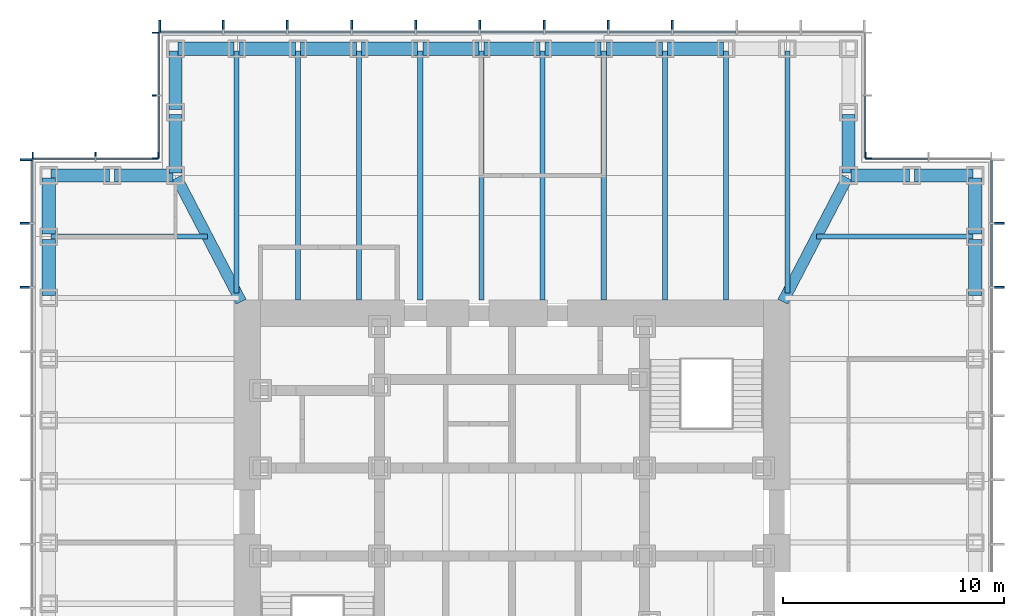
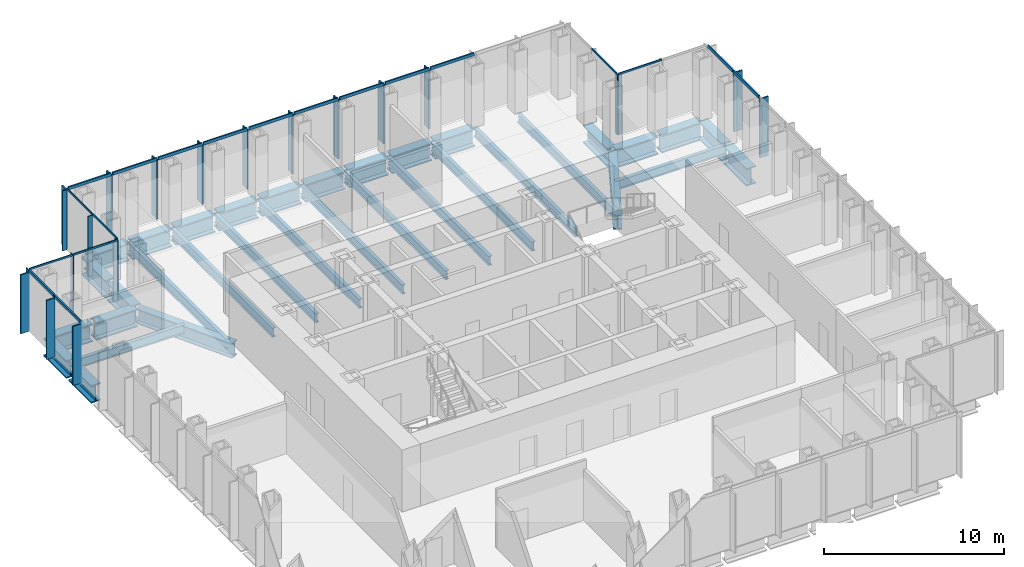
# One storey, part 5 of 16: 41 members, 34 beams, 7 elements without a shape of their own.
"""IFC4 building model written with IfcOpenShell, lengths in metres."""

from ifc_helpers import new_model, si_unit, direction, frame, origin, origin_2d, place, context, subcontext, project, spatial, rectangle, i_section, extrude, material, material_profile, profile_set, type_object, element, aggregate, save


model = new_model("IFC4")

# Units and contexts
model_context = context("Model", 3, precision=1e-05, world=origin(), true_north=direction((0.0, 1.0)))
body_context = subcontext(model_context, "Body", "Model", "MODEL_VIEW")
ifc_project = project(units=[si_unit("LENGTHUNIT", "METRE"), si_unit("AREAUNIT", "SQUARE_METRE"), si_unit("VOLUMEUNIT", "CUBIC_METRE"), si_unit("PLANEANGLEUNIT", "RADIAN"), si_unit("MASSUNIT", "GRAM", prefix="KILO")], contexts=[model_context])

# Site, building, storey
site_placement = place(None, origin())
site = spatial("IfcSite", under=ifc_project, at=site_placement, CompositionType="ELEMENT")
building_placement = place(site_placement, origin())
building = spatial("IfcBuilding", under=site, at=building_placement, Name="Daluyong Arena Tower", CompositionType="ELEMENT")
storey_placement = place(building_placement, frame((0.0, 0.0, 271.300048828125)))
storey = spatial("IfcBuildingStorey", under=building, at=storey_placement, Name="L61", CompositionType="ELEMENT", Elevation=271.300048828125)

# Curtain wall, members
ifc_material_1 = material(Name="Bronze anodised aluminium and glass", Category="aluminium")
curtain_wall_type_1 = type_object("IfcCurtainWallType", Name="Curtain wall CW4", PredefinedType="USERDEFINED", material=ifc_material_1)
curtain_wall_1_placement = place(storey_placement, origin())
curtain_wall_1 = element("IfcCurtainWall", 1, at=curtain_wall_1_placement, inside=storey, type_object=curtain_wall_type_1, Name="curtain wall L61 E", ObjectType="UNITISED CURTAIN WALL", PredefinedType="USERDEFINED")
ifc_material_2 = material(Name="Bronze anodised aluminium fin", Category="aluminium")
ifc_material_profile_1 = material_profile(ifc_material_2, rectangle(XDim=0.550048828125, YDim=0.090087890625, at=origin_2d()))
ifc_profile_set_1 = profile_set([ifc_material_profile_1], Name="Bronze anodised aluminium fin")
member_type_1 = type_object("IfcMemberType", Name="CW4 bronze fin 550x90", PredefinedType="MULLION", material=ifc_profile_set_1)
member_1_placement = place(storey_placement, frame((78.02490234375, 90.181884765625, 0.0), z_axis=(0.0, 0.0, 1.0), x_axis=(-1.0, 0.0, 0.0)))
member_1 = element("IfcMember", 2, at=member_1_placement, type_object=member_type_1, Name="curtain wall L61 E fin 10", PredefinedType="MULLION", context=body_context, shape_type="SweptSolid", body=[
    extrude(rectangle(XDim=0.550048828125, YDim=0.090087890625, at=origin_2d()), origin(), (0.0, 0.0, 1.0), 4.0),
])
member_2_placement = place(storey_placement, frame((78.02490234375, 93.0908203125, 0.0), z_axis=(0.0, 0.0, 1.0), x_axis=(-1.0, 0.0, 0.0)))
member_2 = element("IfcMember", 3, at=member_2_placement, type_object=member_type_1, Name="curtain wall L61 E fin 11", PredefinedType="MULLION", context=body_context, shape_type="SweptSolid", body=[
    extrude(rectangle(XDim=0.550048828125, YDim=0.090087890625, at=origin_2d()), origin(), (0.0, 0.0, 1.0), 4.0),
])

curtain_wall_2_placement = place(storey_placement, origin())
curtain_wall_2 = element("IfcCurtainWall", 4, at=curtain_wall_2_placement, inside=storey, type_object=curtain_wall_type_1, Name="curtain wall L61 N", ObjectType="UNITISED CURTAIN WALL", PredefinedType="USERDEFINED")
member_3_placement = place(storey_placement, frame((63.272705078125, 102.02490234375, 0.0), z_axis=(0.0, 0.0, 1.0), x_axis=(0.0, -1.0, 0.0)))
member_3 = element("IfcMember", 5, at=member_3_placement, type_object=member_type_1, Name="curtain wall L61 N fin 4", PredefinedType="MULLION", context=body_context, shape_type="SweptSolid", body=[
    extrude(rectangle(XDim=0.550048828125, YDim=0.090087890625, at=origin_2d()), origin(), (0.0, 0.0, 1.0), 4.0),
])
member_4_placement = place(storey_placement, frame((60.363525390625, 102.02490234375, 0.0), z_axis=(0.0, 0.0, 1.0), x_axis=(0.0, -1.0, 0.0)))
member_4 = element("IfcMember", 6, at=member_4_placement, type_object=member_type_1, Name="curtain wall L61 N fin 5", PredefinedType="MULLION", context=body_context, shape_type="SweptSolid", body=[
    extrude(rectangle(XDim=0.550048828125, YDim=0.090087890625, at=origin_2d()), origin(), (0.0, 0.0, 1.0), 4.0),
])
member_5_placement = place(storey_placement, frame((57.45458984375, 102.02490234375, 0.0), z_axis=(0.0, 0.0, 1.0), x_axis=(0.0, -1.0, 0.0)))
member_5 = element("IfcMember", 7, at=member_5_placement, type_object=member_type_1, Name="curtain wall L61 N fin 6", PredefinedType="MULLION", context=body_context, shape_type="SweptSolid", body=[
    extrude(rectangle(XDim=0.550048828125, YDim=0.090087890625, at=origin_2d()), origin(), (0.0, 0.0, 1.0), 4.0),
])
member_6_placement = place(storey_placement, frame((54.54541015625, 102.02490234375, 0.0), z_axis=(0.0, 0.0, 1.0), x_axis=(0.0, -1.0, 0.0)))
member_6 = element("IfcMember", 8, at=member_6_placement, type_object=member_type_1, Name="curtain wall L61 N fin 7", PredefinedType="MULLION", context=body_context, shape_type="SweptSolid", body=[
    extrude(rectangle(XDim=0.550048828125, YDim=0.090087890625, at=origin_2d()), origin(), (0.0, 0.0, 1.0), 4.0),
])
member_7_placement = place(storey_placement, frame((51.636474609375, 102.02490234375, 0.0), z_axis=(0.0, 0.0, 1.0), x_axis=(0.0, -1.0, 0.0)))
member_7 = element("IfcMember", 9, at=member_7_placement, type_object=member_type_1, Name="curtain wall L61 N fin 8", PredefinedType="MULLION", context=body_context, shape_type="SweptSolid", body=[
    extrude(rectangle(XDim=0.550048828125, YDim=0.090087890625, at=origin_2d()), origin(), (0.0, 0.0, 1.0), 4.0),
])
member_8_placement = place(storey_placement, frame((48.727294921875, 102.02490234375, 0.0), z_axis=(0.0, 0.0, 1.0), x_axis=(0.0, -1.0, 0.0)))
member_8 = element("IfcMember", 10, at=member_8_placement, type_object=member_type_1, Name="curtain wall L61 N fin 9", PredefinedType="MULLION", context=body_context, shape_type="SweptSolid", body=[
    extrude(rectangle(XDim=0.550048828125, YDim=0.090087890625, at=origin_2d()), origin(), (0.0, 0.0, 1.0), 4.0),
])
member_9_placement = place(storey_placement, frame((45.818115234375, 102.02490234375, 0.0), z_axis=(0.0, 0.0, 1.0), x_axis=(0.0, -1.0, 0.0)))
member_9 = element("IfcMember", 11, at=member_9_placement, type_object=member_type_1, Name="curtain wall L61 N fin 10", PredefinedType="MULLION", context=body_context, shape_type="SweptSolid", body=[
    extrude(rectangle(XDim=0.550048828125, YDim=0.090087890625, at=origin_2d()), origin(), (0.0, 0.0, 1.0), 4.0),
])
member_10_placement = place(storey_placement, frame((42.9091796875, 102.02490234375, 0.0), z_axis=(0.0, 0.0, 1.0), x_axis=(0.0, -1.0, 0.0)))
member_10 = element("IfcMember", 12, at=member_10_placement, type_object=member_type_1, Name="curtain wall L61 N fin 11", PredefinedType="MULLION", context=body_context, shape_type="SweptSolid", body=[
    extrude(rectangle(XDim=0.550048828125, YDim=0.090087890625, at=origin_2d()), origin(), (0.0, 0.0, 1.0), 4.0),
])
member_11_placement = place(storey_placement, frame((40.044921875, 102.02490234375, 0.0), z_axis=(0.0, 0.0, 1.0), x_axis=(0.0, -1.0, 0.0)))
member_11 = element("IfcMember", 13, at=member_11_placement, type_object=member_type_1, Name="curtain wall L61 N fin 12", PredefinedType="MULLION", context=body_context, shape_type="SweptSolid", body=[
    extrude(rectangle(XDim=0.550048828125, YDim=0.090087890625, at=origin_2d()), origin(), (0.0, 0.0, 1.0), 4.0),
])

curtain_wall_3_placement = place(storey_placement, origin())
curtain_wall_3 = element("IfcCurtainWall", 14, at=curtain_wall_3_placement, inside=storey, type_object=curtain_wall_type_1, Name="curtain wall L61 W", ObjectType="UNITISED CURTAIN WALL", PredefinedType="USERDEFINED")
member_12_placement = place(storey_placement, frame((33.97509765625, 95.955078125, 0.0), z_axis=(0.0, 0.0, 1.0), x_axis=(1.0, 0.0, 0.0)))
member_12 = element("IfcMember", 15, at=member_12_placement, type_object=member_type_1, Name="curtain wall L61 W fin 1", PredefinedType="MULLION", context=body_context, shape_type="SweptSolid", body=[
    extrude(rectangle(XDim=0.550048828125, YDim=0.090087890625, at=origin_2d()), origin(), (0.0, 0.0, 1.0), 4.0),
])
member_13_placement = place(storey_placement, frame((33.97509765625, 93.0908203125, 0.0), z_axis=(0.0, 0.0, 1.0), x_axis=(1.0, 0.0, 0.0)))
member_13 = element("IfcMember", 16, at=member_13_placement, type_object=member_type_1, Name="curtain wall L61 W fin 2", PredefinedType="MULLION", context=body_context, shape_type="SweptSolid", body=[
    extrude(rectangle(XDim=0.550048828125, YDim=0.090087890625, at=origin_2d()), origin(), (0.0, 0.0, 1.0), 4.0),
])
member_14_placement = place(storey_placement, frame((33.97509765625, 90.181884765625, 0.0), z_axis=(0.0, 0.0, 1.0), x_axis=(1.0, 0.0, 0.0)))
member_14 = element("IfcMember", 17, at=member_14_placement, type_object=member_type_1, Name="curtain wall L61 W fin 3", PredefinedType="MULLION", context=body_context, shape_type="SweptSolid", body=[
    extrude(rectangle(XDim=0.550048828125, YDim=0.090087890625, at=origin_2d()), origin(), (0.0, 0.0, 1.0), 4.0),
])

# Member
ifc_material_3 = material(Name="Bronze anodised aluminium", Category="aluminium")
ifc_material_profile_2 = material_profile(ifc_material_3, rectangle(XDim=0.090087890625, YDim=0.199951171875, at=origin_2d()))
ifc_profile_set_2 = profile_set([ifc_material_profile_2], Name="Bronze anodised aluminium")
member_type_2 = type_object("IfcMemberType", Name="CW4 stack transom 200x90", PredefinedType="USERDEFINED", material=ifc_profile_set_2)
member_15_placement = place(storey_placement, frame((77.75, 90.226806640625, 4.099853515625), z_axis=(0.0, 1.0, 0.0), x_axis=(-1.0, 0.0, 0.0)))
member_15 = element("IfcMember", 18, at=member_15_placement, type_object=member_type_2, Name="curtain wall L61 E transom 10", ObjectType="TRANSOM", PredefinedType="USERDEFINED", context=body_context, shape_type="SweptSolid", body=[
    extrude(rectangle(XDim=0.090087890625, YDim=0.199951171875, at=origin_2d()), origin(), (0.0, 0.0, 1.0), 2.819091796875),
])

member_16_placement = place(storey_placement, frame((77.75, 93.135986328125, 4.099853515625), z_axis=(0.0, 1.0, 0.0), x_axis=(-1.0, 0.0, 0.0)))
member_16 = element("IfcMember", 19, at=member_16_placement, type_object=member_type_2, Name="curtain wall L61 E transom 11", ObjectType="TRANSOM", PredefinedType="USERDEFINED", context=body_context, shape_type="SweptSolid", body=[
    extrude(rectangle(XDim=0.090087890625, YDim=0.199951171875, at=origin_2d()), origin(), (0.0, 0.0, 1.0), 2.77392578125),
])

aggregate(curtain_wall_1, [member_1, member_2, member_15, member_16])

member_17_placement = place(storey_placement, frame((66.13671875, 101.75, 4.099853515625), z_axis=(-1.0, 0.0, 0.0), x_axis=(0.0, -1.0, 0.0)))
member_17 = element("IfcMember", 20, at=member_17_placement, type_object=member_type_2, Name="curtain wall L61 N transom 3", ObjectType="TRANSOM", PredefinedType="USERDEFINED", context=body_context, shape_type="SweptSolid", body=[
    extrude(rectangle(XDim=0.090087890625, YDim=0.199951171875, at=origin_2d()), origin(), (0.0, 0.0, 1.0), 2.819091796875),
])

member_18_placement = place(storey_placement, frame((63.227783203125, 101.75, 4.099853515625), z_axis=(-1.0, 0.0, 0.0), x_axis=(0.0, -1.0, 0.0)))
member_18 = element("IfcMember", 21, at=member_18_placement, type_object=member_type_2, Name="curtain wall L61 N transom 4", ObjectType="TRANSOM", PredefinedType="USERDEFINED", context=body_context, shape_type="SweptSolid", body=[
    extrude(rectangle(XDim=0.090087890625, YDim=0.199951171875, at=origin_2d()), origin(), (0.0, 0.0, 1.0), 2.819091796875),
])

member_19_placement = place(storey_placement, frame((60.318603515625, 101.75, 4.099853515625), z_axis=(-1.0, 0.0, 0.0), x_axis=(0.0, -1.0, 0.0)))
member_19 = element("IfcMember", 22, at=member_19_placement, type_object=member_type_2, Name="curtain wall L61 N transom 5", ObjectType="TRANSOM", PredefinedType="USERDEFINED", context=body_context, shape_type="SweptSolid", body=[
    extrude(rectangle(XDim=0.090087890625, YDim=0.199951171875, at=origin_2d()), origin(), (0.0, 0.0, 1.0), 2.819091796875),
])

member_20_placement = place(storey_placement, frame((57.409423828125, 101.75, 4.099853515625), z_axis=(-1.0, 0.0, 0.0), x_axis=(0.0, -1.0, 0.0)))
member_20 = element("IfcMember", 23, at=member_20_placement, type_object=member_type_2, Name="curtain wall L61 N transom 6", ObjectType="TRANSOM", PredefinedType="USERDEFINED", context=body_context, shape_type="SweptSolid", body=[
    extrude(rectangle(XDim=0.090087890625, YDim=0.199951171875, at=origin_2d()), origin(), (0.0, 0.0, 1.0), 2.81884765625),
])

member_21_placement = place(storey_placement, frame((54.50048828125, 101.75, 4.099853515625), z_axis=(-1.0, 0.0, 0.0), x_axis=(0.0, -1.0, 0.0)))
member_21 = element("IfcMember", 24, at=member_21_placement, type_object=member_type_2, Name="curtain wall L61 N transom 7", ObjectType="TRANSOM", PredefinedType="USERDEFINED", context=body_context, shape_type="SweptSolid", body=[
    extrude(rectangle(XDim=0.090087890625, YDim=0.199951171875, at=origin_2d()), origin(), (0.0, 0.0, 1.0), 2.819091796875),
])

member_22_placement = place(storey_placement, frame((51.59130859375, 101.75, 4.099853515625), z_axis=(-1.0, 0.0, 0.0), x_axis=(0.0, -1.0, 0.0)))
member_22 = element("IfcMember", 25, at=member_22_placement, type_object=member_type_2, Name="curtain wall L61 N transom 8", ObjectType="TRANSOM", PredefinedType="USERDEFINED", context=body_context, shape_type="SweptSolid", body=[
    extrude(rectangle(XDim=0.090087890625, YDim=0.199951171875, at=origin_2d()), origin(), (0.0, 0.0, 1.0), 2.819091796875),
])

member_23_placement = place(storey_placement, frame((48.682373046875, 101.75, 4.099853515625), z_axis=(-1.0, 0.0, 0.0), x_axis=(0.0, -1.0, 0.0)))
member_23 = element("IfcMember", 26, at=member_23_placement, type_object=member_type_2, Name="curtain wall L61 N transom 9", ObjectType="TRANSOM", PredefinedType="USERDEFINED", context=body_context, shape_type="SweptSolid", body=[
    extrude(rectangle(XDim=0.090087890625, YDim=0.199951171875, at=origin_2d()), origin(), (0.0, 0.0, 1.0), 2.819091796875),
])

member_24_placement = place(storey_placement, frame((45.773193359375, 101.75, 4.099853515625), z_axis=(-1.0, 0.0, 0.0), x_axis=(0.0, -1.0, 0.0)))
member_24 = element("IfcMember", 27, at=member_24_placement, type_object=member_type_2, Name="curtain wall L61 N transom 10", ObjectType="TRANSOM", PredefinedType="USERDEFINED", context=body_context, shape_type="SweptSolid", body=[
    extrude(rectangle(XDim=0.090087890625, YDim=0.199951171875, at=origin_2d()), origin(), (0.0, 0.0, 1.0), 2.819091796875),
])

member_25_placement = place(storey_placement, frame((42.864013671875, 101.75, 4.099853515625), z_axis=(-1.0, 0.0, 0.0), x_axis=(0.0, -1.0, 0.0)))
member_25 = element("IfcMember", 28, at=member_25_placement, type_object=member_type_2, Name="curtain wall L61 N transom 11", ObjectType="TRANSOM", PredefinedType="USERDEFINED", context=body_context, shape_type="SweptSolid", body=[
    extrude(rectangle(XDim=0.090087890625, YDim=0.199951171875, at=origin_2d()), origin(), (0.0, 0.0, 1.0), 2.77392578125),
])

aggregate(curtain_wall_2, [member_3, member_4, member_5, member_6, member_7, member_8, member_9, member_10, member_11, member_17, member_18, member_19, member_20, member_21, member_22, member_23, member_24, member_25])

member_26_placement = place(storey_placement, frame((34.25, 95.909912109375, 4.099853515625), z_axis=(0.0, -1.0, 0.0), x_axis=(1.0, 0.0, 0.0)))
member_26 = element("IfcMember", 29, at=member_26_placement, type_object=member_type_2, Name="curtain wall L61 W transom 1", ObjectType="TRANSOM", PredefinedType="USERDEFINED", context=body_context, shape_type="SweptSolid", body=[
    extrude(rectangle(XDim=0.090087890625, YDim=0.199951171875, at=origin_2d()), origin(), (0.0, 0.0, 1.0), 2.77392578125),
])

member_27_placement = place(storey_placement, frame((34.25, 93.0458984375, 4.099853515625), z_axis=(0.0, -1.0, 0.0), x_axis=(1.0, 0.0, 0.0)))
member_27 = element("IfcMember", 30, at=member_27_placement, type_object=member_type_2, Name="curtain wall L61 W transom 2", ObjectType="TRANSOM", PredefinedType="USERDEFINED", context=body_context, shape_type="SweptSolid", body=[
    extrude(rectangle(XDim=0.090087890625, YDim=0.199951171875, at=origin_2d()), origin(), (0.0, 0.0, 1.0), 2.819091796875),
])

aggregate(curtain_wall_3, [member_12, member_13, member_14, member_26, member_27])

# Curtain wall, member
ifc_material_4 = material(Name="Bronze anodised aluminium and glass", Category="aluminium")
curtain_wall_type_2 = type_object("IfcCurtainWallType", Name="Curtain wall CW7", PredefinedType="USERDEFINED", material=ifc_material_4)
curtain_wall_4_placement = place(storey_placement, origin())
curtain_wall_4 = element("IfcCurtainWall", 31, at=curtain_wall_4_placement, inside=storey, type_object=curtain_wall_type_2, Name="curtain wall L61 NE-N", ObjectType="UNITISED CURTAIN WALL", PredefinedType="USERDEFINED")
ifc_material_5 = material(Name="Bronze anodised aluminium fin", Category="aluminium")
ifc_material_profile_3 = material_profile(ifc_material_5, rectangle(XDim=0.300048828125, YDim=0.06005859375, at=origin_2d()))
ifc_profile_set_3 = profile_set([ifc_material_profile_3], Name="Bronze anodised aluminium fin")
member_type_3 = type_object("IfcMemberType", Name="CW7 bronze fin 300x60", PredefinedType="MULLION", material=ifc_profile_set_3)
member_28_placement = place(storey_placement, frame((72.030029296875, 96.14990234375, 0.0), z_axis=(0.0, 0.0, 1.0), x_axis=(0.0, -1.0, 0.0)))
member_28 = element("IfcMember", 32, at=member_28_placement, type_object=member_type_3, Name="curtain wall L61 NE-N fin 3", PredefinedType="MULLION", context=body_context, shape_type="SweptSolid", body=[
    extrude(rectangle(XDim=0.300048828125, YDim=0.06005859375, at=origin_2d()), origin(), (0.0, 0.0, 1.0), 4.079833984375),
])

curtain_wall_5_placement = place(storey_placement, origin())
curtain_wall_5 = element("IfcCurtainWall", 33, at=curtain_wall_5_placement, inside=storey, type_object=curtain_wall_type_2, Name="curtain wall L61 NE-E", ObjectType="UNITISED CURTAIN WALL", PredefinedType="USERDEFINED")
member_29_placement = place(storey_placement, frame((72.14990234375, 96.030029296875, 0.0), z_axis=(0.0, 0.0, 1.0), x_axis=(-1.0, 0.0, 0.0)))
member_29 = element("IfcMember", 34, at=member_29_placement, type_object=member_type_3, Name="curtain wall L61 NE-E fin 1", PredefinedType="MULLION", context=body_context, shape_type="SweptSolid", body=[
    extrude(rectangle(XDim=0.300048828125, YDim=0.06005859375, at=origin_2d()), origin(), (0.0, 0.0, 1.0), 4.079833984375),
])

# Curtain wall, members
curtain_wall_6_placement = place(storey_placement, origin())
curtain_wall_6 = element("IfcCurtainWall", 35, at=curtain_wall_6_placement, inside=storey, type_object=curtain_wall_type_2, Name="curtain wall L61 NW-W", ObjectType="UNITISED CURTAIN WALL", PredefinedType="USERDEFINED")
member_30_placement = place(storey_placement, frame((39.85009765625, 101.719970703125, 0.0), z_axis=(0.0, 0.0, 1.0), x_axis=(1.0, 0.0, 0.0)))
member_30 = element("IfcMember", 36, at=member_30_placement, type_object=member_type_3, Name="curtain wall L61 NW-W fin 1", PredefinedType="MULLION", context=body_context, shape_type="SweptSolid", body=[
    extrude(rectangle(XDim=0.300048828125, YDim=0.06005859375, at=origin_2d()), origin(), (0.0, 0.0, 1.0), 4.079833984375),
])
member_31_placement = place(storey_placement, frame((39.85009765625, 98.875, 0.0), z_axis=(0.0, 0.0, 1.0), x_axis=(1.0, 0.0, 0.0)))
member_31 = element("IfcMember", 37, at=member_31_placement, type_object=member_type_3, Name="curtain wall L61 NW-W fin 2", PredefinedType="MULLION", context=body_context, shape_type="SweptSolid", body=[
    extrude(rectangle(XDim=0.300048828125, YDim=0.06005859375, at=origin_2d()), origin(), (0.0, 0.0, 1.0), 4.079833984375),
])
member_32_placement = place(storey_placement, frame((39.85009765625, 96.030029296875, 0.0), z_axis=(0.0, 0.0, 1.0), x_axis=(1.0, 0.0, 0.0)))
member_32 = element("IfcMember", 38, at=member_32_placement, type_object=member_type_3, Name="curtain wall L61 NW-W fin 3", PredefinedType="MULLION", context=body_context, shape_type="SweptSolid", body=[
    extrude(rectangle(XDim=0.300048828125, YDim=0.06005859375, at=origin_2d()), origin(), (0.0, 0.0, 1.0), 4.079833984375),
])

curtain_wall_7_placement = place(storey_placement, origin())
curtain_wall_7 = element("IfcCurtainWall", 39, at=curtain_wall_7_placement, inside=storey, type_object=curtain_wall_type_2, Name="curtain wall L61 NW-N", ObjectType="UNITISED CURTAIN WALL", PredefinedType="USERDEFINED")
member_33_placement = place(storey_placement, frame((39.969970703125, 96.14990234375, 0.0), z_axis=(0.0, 0.0, 1.0), x_axis=(0.0, -1.0, 0.0)))
member_33 = element("IfcMember", 40, at=member_33_placement, type_object=member_type_3, Name="curtain wall L61 NW-N fin 1", PredefinedType="MULLION", context=body_context, shape_type="SweptSolid", body=[
    extrude(rectangle(XDim=0.300048828125, YDim=0.06005859375, at=origin_2d()), origin(), (0.0, 0.0, 1.0), 4.079833984375),
])
member_34_placement = place(storey_placement, frame((37.125, 96.14990234375, 0.0), z_axis=(0.0, 0.0, 1.0), x_axis=(0.0, -1.0, 0.0)))
member_34 = element("IfcMember", 41, at=member_34_placement, type_object=member_type_3, Name="curtain wall L61 NW-N fin 2", PredefinedType="MULLION", context=body_context, shape_type="SweptSolid", body=[
    extrude(rectangle(XDim=0.300048828125, YDim=0.06005859375, at=origin_2d()), origin(), (0.0, 0.0, 1.0), 4.079833984375),
])
member_35_placement = place(storey_placement, frame((34.280029296875, 96.14990234375, 0.0), z_axis=(0.0, 0.0, 1.0), x_axis=(0.0, -1.0, 0.0)))
member_35 = element("IfcMember", 42, at=member_35_placement, type_object=member_type_3, Name="curtain wall L61 NW-N fin 3", PredefinedType="MULLION", context=body_context, shape_type="SweptSolid", body=[
    extrude(rectangle(XDim=0.300048828125, YDim=0.06005859375, at=origin_2d()), origin(), (0.0, 0.0, 1.0), 4.079833984375),
])

# Member
ifc_material_6 = material(Name="Bronze anodised aluminium", Category="aluminium")
ifc_material_profile_4 = material_profile(ifc_material_6, rectangle(XDim=0.06005859375, YDim=0.1201171875, at=origin_2d()))
ifc_profile_set_4 = profile_set([ifc_material_profile_4], Name="Bronze anodised aluminium")
member_type_4 = type_object("IfcMemberType", Name="CW7 stack transom 120x60", PredefinedType="USERDEFINED", material=ifc_profile_set_4)
member_36_placement = place(storey_placement, frame((74.844970703125, 96.0, 4.139892578125), z_axis=(-1.0, 0.0, 0.0), x_axis=(0.0, -1.0, 0.0)))
member_36 = element("IfcMember", 43, at=member_36_placement, type_object=member_type_4, Name="curtain wall L61 NE-N transom 2", ObjectType="TRANSOM", PredefinedType="USERDEFINED", context=body_context, shape_type="SweptSolid", body=[
    extrude(rectangle(XDim=0.06005859375, YDim=0.1201171875, at=origin_2d()), origin(), (0.0, 0.0, 1.0), 2.784912109375),
])

aggregate(curtain_wall_4, [member_28, member_36])

member_37_placement = place(storey_placement, frame((72.0, 96.06005859375, 4.139892578125), z_axis=(0.0, 1.0, 0.0), x_axis=(-1.0, 0.0, 0.0)))
member_37 = element("IfcMember", 44, at=member_37_placement, type_object=member_type_4, Name="curtain wall L61 NE-E transom 1", ObjectType="TRANSOM", PredefinedType="USERDEFINED", context=body_context, shape_type="SweptSolid", body=[
    extrude(rectangle(XDim=0.06005859375, YDim=0.1201171875, at=origin_2d()), origin(), (0.0, 0.0, 1.0), 2.784912109375),
])

aggregate(curtain_wall_5, [member_29, member_37])

member_38_placement = place(storey_placement, frame((40.0, 101.68994140625, 4.139892578125), z_axis=(0.0, -1.0, 0.0), x_axis=(1.0, 0.0, 0.0)))
member_38 = element("IfcMember", 45, at=member_38_placement, type_object=member_type_4, Name="curtain wall L61 NW-W transom 1", ObjectType="TRANSOM", PredefinedType="USERDEFINED", context=body_context, shape_type="SweptSolid", body=[
    extrude(rectangle(XDim=0.06005859375, YDim=0.1201171875, at=origin_2d()), origin(), (0.0, 0.0, 1.0), 2.784912109375),
])

member_39_placement = place(storey_placement, frame((40.0, 98.844970703125, 4.139892578125), z_axis=(0.0, -1.0, 0.0), x_axis=(1.0, 0.0, 0.0)))
member_39 = element("IfcMember", 46, at=member_39_placement, type_object=member_type_4, Name="curtain wall L61 NW-W transom 2", ObjectType="TRANSOM", PredefinedType="USERDEFINED", context=body_context, shape_type="SweptSolid", body=[
    extrude(rectangle(XDim=0.06005859375, YDim=0.1201171875, at=origin_2d()), origin(), (0.0, 0.0, 1.0), 2.784912109375),
])

aggregate(curtain_wall_6, [member_30, member_31, member_32, member_38, member_39])

member_40_placement = place(storey_placement, frame((39.93994140625, 96.0, 4.139892578125), z_axis=(-1.0, 0.0, 0.0), x_axis=(0.0, -1.0, 0.0)))
member_40 = element("IfcMember", 47, at=member_40_placement, type_object=member_type_4, Name="curtain wall L61 NW-N transom 1", ObjectType="TRANSOM", PredefinedType="USERDEFINED", context=body_context, shape_type="SweptSolid", body=[
    extrude(rectangle(XDim=0.06005859375, YDim=0.1201171875, at=origin_2d()), origin(), (0.0, 0.0, 1.0), 2.784912109375),
])

member_41_placement = place(storey_placement, frame((37.094970703125, 96.0, 4.139892578125), z_axis=(-1.0, 0.0, 0.0), x_axis=(0.0, -1.0, 0.0)))
member_41 = element("IfcMember", 48, at=member_41_placement, type_object=member_type_4, Name="curtain wall L61 NW-N transom 2", ObjectType="TRANSOM", PredefinedType="USERDEFINED", context=body_context, shape_type="SweptSolid", body=[
    extrude(rectangle(XDim=0.06005859375, YDim=0.1201171875, at=origin_2d()), origin(), (0.0, 0.0, 1.0), 2.784912109375),
])

aggregate(curtain_wall_7, [member_33, member_34, member_35, member_40, member_41])

# Beams
ifc_material_7 = material(Name="Steel ASTM A572 Grade 50", Category="steel")
ifc_material_profile_5 = material_profile(ifc_material_7, i_section(OverallWidth=0.5, OverallDepth=1.0, WebThickness=0.03, FlangeThickness=0.06, at=origin_2d()))
ifc_profile_set_5 = profile_set([ifc_material_profile_5], Name="Steel ASTM A572 Grade 50")
beam_type_1 = type_object("IfcBeamType", Name="Corner girder TB1000X500", PredefinedType="BEAM", material=ifc_profile_set_5)
for number, where, z_axis, x_axis, name in (
    (49, (71.197021484375, 95.14794921875, -0.66015625), (-0.461351522179, -0.887217432754, 0.0), (0.887217432754, -0.461351522179, 0.0), "corner girder DG2"),
    (50, (40.802978515625, 95.14794921875, -0.66015625), (0.461351522179, -0.887217432754, 0.0), (0.887217432754, 0.461351522179, 0.0), "corner girder DG2"),
):
    element("IfcBeam", number, at=place(storey_placement, frame(where, z_axis=z_axis, x_axis=x_axis)), inside=storey, type_object=beam_type_1, Name=name, PredefinedType="BEAM", context=body_context, shape_type="SweptSolid", body=[
        extrude(i_section(OverallWidth=0.5, OverallDepth=1.0, WebThickness=0.03, FlangeThickness=0.06, at=origin_2d()), origin(), (0.0, 0.0, 1.0), 6.32958984375),
    ])
ifc_material_8 = material(Name="Steel ASTM A992 Grade 50", Category="steel")
ifc_material_profile_6 = material_profile(ifc_material_8, i_section(OverallWidth=0.22900390625, OverallDepth=0.612060546875, WebThickness=0.011962890625, FlangeThickness=0.01953125, at=origin_2d()))
ifc_profile_set_6 = profile_set([ifc_material_profile_6], Name="Steel ASTM A992 Grade 50")
beam_type_2 = type_object("IfcBeamType", Name="Floor beam W24X84", PredefinedType="BEAM", material=ifc_profile_set_6)
beam_1_placement = place(storey_placement, frame((76.885009765625, 92.477294921875, -0.466064453125), z_axis=(-1.0, 0.0, 0.0), x_axis=(0.0, -1.0, 0.0)))
element("IfcBeam", 51, at=beam_1_placement, inside=storey, type_object=beam_type_2, Name="floor beam FB3", PredefinedType="BEAM", context=body_context, shape_type="SweptSolid", body=[
    extrude(i_section(OverallWidth=0.22900390625, OverallDepth=0.612060546875, WebThickness=0.011962890625, FlangeThickness=0.01953125, at=origin_2d()), origin(), (0.0, 0.0, 1.0), 7.076904296875),
])
beam_2_placement = place(storey_placement, frame((68.477294921875, 100.885009765625, -0.466064453125), z_axis=(0.0, -1.0, 0.0), x_axis=(1.0, 0.0, 0.0)))
element("IfcBeam", 52, at=beam_2_placement, inside=storey, type_object=beam_type_2, Name="floor beam FB3", PredefinedType="BEAM", context=body_context, shape_type="SweptSolid", body=[
    extrude(i_section(OverallWidth=0.22900390625, OverallDepth=0.612060546875, WebThickness=0.011962890625, FlangeThickness=0.01953125, at=origin_2d()), origin(), (0.0, 0.0, 1.0), 10.96728515625),
])
for number, where, z_axis, x_axis, name in (
    (53, (65.70458984375, 100.885009765625, -0.466064453125), (0.0, -1.0, 0.0), (1.0, 0.0, 0.0), "floor beam FB3"),
    (54, (62.931884765625, 100.885009765625, -0.466064453125), (0.0, -1.0, 0.0), (1.0, 0.0, 0.0), "floor beam FB3"),
    (55, (60.1591796875, 100.885009765625, -0.466064453125), (0.0, -1.0, 0.0), (1.0, 0.0, 0.0), "floor beam FB3"),
    (56, (57.386474609375, 100.885009765625, -0.466064453125), (0.0, -1.0, 0.0), (1.0, 0.0, 0.0), "floor beam FB3"),
    (57, (54.613525390625, 100.885009765625, -0.466064453125), (0.0, -1.0, 0.0), (1.0, 0.0, 0.0), "floor beam FB3"),
    (58, (51.8408203125, 100.885009765625, -0.466064453125), (0.0, -1.0, 0.0), (1.0, 0.0, 0.0), "floor beam FB3"),
    (59, (49.068115234375, 100.885009765625, -0.466064453125), (0.0, -1.0, 0.0), (1.0, 0.0, 0.0), "floor beam FB3"),
    (60, (46.29541015625, 100.885009765625, -0.466064453125), (0.0, -1.0, 0.0), (1.0, 0.0, 0.0), "floor beam FB3"),
):
    element("IfcBeam", number, at=place(storey_placement, frame(where, z_axis=z_axis, x_axis=x_axis)), inside=storey, type_object=beam_type_2, Name=name, PredefinedType="BEAM", context=body_context, shape_type="SweptSolid", body=[
        extrude(i_section(OverallWidth=0.22900390625, OverallDepth=0.612060546875, WebThickness=0.011962890625, FlangeThickness=0.01953125, at=origin_2d()), origin(), (0.0, 0.0, 1.0), 11.284912109375),
    ])
beam_3_placement = place(storey_placement, frame((43.522705078125, 100.885009765625, -0.466064453125), z_axis=(0.0, -1.0, 0.0), x_axis=(1.0, 0.0, 0.0)))
element("IfcBeam", 61, at=beam_3_placement, inside=storey, type_object=beam_type_2, Name="floor beam FB3", PredefinedType="BEAM", context=body_context, shape_type="SweptSolid", body=[
    extrude(i_section(OverallWidth=0.22900390625, OverallDepth=0.612060546875, WebThickness=0.011962890625, FlangeThickness=0.01953125, at=origin_2d()), origin(), (0.0, 0.0, 1.0), 10.96728515625),
])
beam_4_placement = place(storey_placement, frame((35.114990234375, 92.477294921875, -0.466064453125), z_axis=(1.0, 0.0, 0.0), x_axis=(0.0, 1.0, 0.0)))
element("IfcBeam", 62, at=beam_4_placement, inside=storey, type_object=beam_type_2, Name="floor beam FB3", PredefinedType="BEAM", context=body_context, shape_type="SweptSolid", body=[
    extrude(i_section(OverallWidth=0.22900390625, OverallDepth=0.612060546875, WebThickness=0.011962890625, FlangeThickness=0.01953125, at=origin_2d()), origin(), (0.0, 0.0, 1.0), 7.076904296875),
])
ifc_material_9 = material(Name="Steel ASTM A572 Grade 50", Category="steel")
ifc_material_profile_7 = material_profile(ifc_material_9, i_section(OverallWidth=0.60009765625, OverallDepth=1.199951171875, WebThickness=0.03, FlangeThickness=0.08, at=origin_2d()))
ifc_profile_set_7 = profile_set([ifc_material_profile_7], Name="Steel ASTM A572 Grade 50")
beam_type_3 = type_object("IfcBeamType", Name="Spandrel Z4 PG1200X600", PredefinedType="SPANDREL", material=ifc_profile_set_7)
for number, where, z_axis, x_axis, name in (
    (63, (77.0, 89.819580078125, -0.760009765625), (0.0, 1.0, 0.0), (-1.0, 0.0, 0.0), "spandrel z4 SB9"),
    (64, (77.0, 92.59228515625, -0.760009765625), (0.0, 1.0, 0.0), (-1.0, 0.0, 0.0), "spandrel z4 SB9"),
):
    element("IfcBeam", number, at=place(storey_placement, frame(where, z_axis=z_axis, x_axis=x_axis)), inside=storey, type_object=beam_type_3, Name=name, PredefinedType="SPANDREL", context=body_context, shape_type="SweptSolid", body=[
        extrude(i_section(OverallWidth=0.60009765625, OverallDepth=1.199951171875, WebThickness=0.03, FlangeThickness=0.08, at=origin_2d()), origin(), (0.0, 0.0, 1.0), 2.542724609375),
    ])
for number, where, z_axis, x_axis, name in (
    (65, (76.885009765625, 95.25, -0.760009765625), (-1.0, 0.0, 0.0), (0.0, -1.0, 0.0), "spandrel z4 SB9"),
    (66, (74.010009765625, 95.25, -0.760009765625), (-1.0, 0.0, 0.0), (0.0, -1.0, 0.0), "spandrel z4 SB9"),
    (67, (71.25, 95.364990234375, -0.760009765625), (0.0, 1.0, 0.0), (-1.0, 0.0, 0.0), "spandrel z4 SB9"),
):
    element("IfcBeam", number, at=place(storey_placement, frame(where, z_axis=z_axis, x_axis=x_axis)), inside=storey, type_object=beam_type_3, Name=name, PredefinedType="SPANDREL", context=body_context, shape_type="SweptSolid", body=[
        extrude(i_section(OverallWidth=0.60009765625, OverallDepth=1.199951171875, WebThickness=0.03, FlangeThickness=0.08, at=origin_2d()), origin(), (0.0, 0.0, 1.0), 2.64501953125),
    ])
for number, where, z_axis, x_axis, name in (
    (68, (65.589599609375, 101.0, -0.760009765625), (-1.0, 0.0, 0.0), (0.0, -1.0, 0.0), "spandrel z4 SB9"),
    (69, (62.81689453125, 101.0, -0.760009765625), (-1.0, 0.0, 0.0), (0.0, -1.0, 0.0), "spandrel z4 SB9"),
    (70, (60.044189453125, 101.0, -0.760009765625), (-1.0, 0.0, 0.0), (0.0, -1.0, 0.0), "spandrel z4 SB9"),
):
    element("IfcBeam", number, at=place(storey_placement, frame(where, z_axis=z_axis, x_axis=x_axis)), inside=storey, type_object=beam_type_3, Name=name, PredefinedType="SPANDREL", context=body_context, shape_type="SweptSolid", body=[
        extrude(i_section(OverallWidth=0.60009765625, OverallDepth=1.199951171875, WebThickness=0.03, FlangeThickness=0.08, at=origin_2d()), origin(), (0.0, 0.0, 1.0), 2.542724609375),
    ])
beam_5_placement = place(storey_placement, frame((57.271484375, 101.0, -0.760009765625), z_axis=(-1.0, 0.0, 0.0), x_axis=(0.0, -1.0, 0.0)))
element("IfcBeam", 71, at=beam_5_placement, inside=storey, type_object=beam_type_3, Name="spandrel z4 SB9", PredefinedType="SPANDREL", context=body_context, shape_type="SweptSolid", body=[
    extrude(i_section(OverallWidth=0.60009765625, OverallDepth=1.199951171875, WebThickness=0.03, FlangeThickness=0.08, at=origin_2d()), origin(), (0.0, 0.0, 1.0), 2.54296875),
])
for number, where, z_axis, x_axis, name in (
    (72, (54.49853515625, 101.0, -0.760009765625), (-1.0, 0.0, 0.0), (0.0, -1.0, 0.0), "spandrel z4 SB9"),
    (73, (51.725830078125, 101.0, -0.760009765625), (-1.0, 0.0, 0.0), (0.0, -1.0, 0.0), "spandrel z4 SB9"),
    (74, (48.953125, 101.0, -0.760009765625), (-1.0, 0.0, 0.0), (0.0, -1.0, 0.0), "spandrel z4 SB9"),
    (75, (46.180419921875, 101.0, -0.760009765625), (-1.0, 0.0, 0.0), (0.0, -1.0, 0.0), "spandrel z4 SB9"),
    (76, (43.40771484375, 101.0, -0.760009765625), (-1.0, 0.0, 0.0), (0.0, -1.0, 0.0), "spandrel z4 SB9"),
):
    element("IfcBeam", number, at=place(storey_placement, frame(where, z_axis=z_axis, x_axis=x_axis)), inside=storey, type_object=beam_type_3, Name=name, PredefinedType="SPANDREL", context=body_context, shape_type="SweptSolid", body=[
        extrude(i_section(OverallWidth=0.60009765625, OverallDepth=1.199951171875, WebThickness=0.03, FlangeThickness=0.08, at=origin_2d()), origin(), (0.0, 0.0, 1.0), 2.542724609375),
    ])
for number, where, z_axis, x_axis, name in (
    (77, (40.75, 100.885009765625, -0.760009765625), (0.0, -1.0, 0.0), (1.0, 0.0, 0.0), "spandrel z4 SB9"),
    (78, (40.75, 98.010009765625, -0.760009765625), (0.0, -1.0, 0.0), (1.0, 0.0, 0.0), "spandrel z4 SB9"),
    (79, (40.635009765625, 95.25, -0.760009765625), (-1.0, 0.0, 0.0), (0.0, -1.0, 0.0), "spandrel z4 SB9"),
    (80, (37.760009765625, 95.25, -0.760009765625), (-1.0, 0.0, 0.0), (0.0, -1.0, 0.0), "spandrel z4 SB9"),
):
    element("IfcBeam", number, at=place(storey_placement, frame(where, z_axis=z_axis, x_axis=x_axis)), inside=storey, type_object=beam_type_3, Name=name, PredefinedType="SPANDREL", context=body_context, shape_type="SweptSolid", body=[
        extrude(i_section(OverallWidth=0.60009765625, OverallDepth=1.199951171875, WebThickness=0.03, FlangeThickness=0.08, at=origin_2d()), origin(), (0.0, 0.0, 1.0), 2.64501953125),
    ])
for number, where, z_axis, x_axis, name in (
    (81, (35.0, 95.135009765625, -0.760009765625), (0.0, -1.0, 0.0), (1.0, 0.0, 0.0), "spandrel z4 SB9"),
    (82, (35.0, 92.3623046875, -0.760009765625), (0.0, -1.0, 0.0), (1.0, 0.0, 0.0), "spandrel z4 SB9"),
):
    element("IfcBeam", number, at=place(storey_placement, frame(where, z_axis=z_axis, x_axis=x_axis)), inside=storey, type_object=beam_type_3, Name=name, PredefinedType="SPANDREL", context=body_context, shape_type="SweptSolid", body=[
        extrude(i_section(OverallWidth=0.60009765625, OverallDepth=1.199951171875, WebThickness=0.03, FlangeThickness=0.08, at=origin_2d()), origin(), (0.0, 0.0, 1.0), 2.542724609375),
    ])

save(model, "model.ifc")
